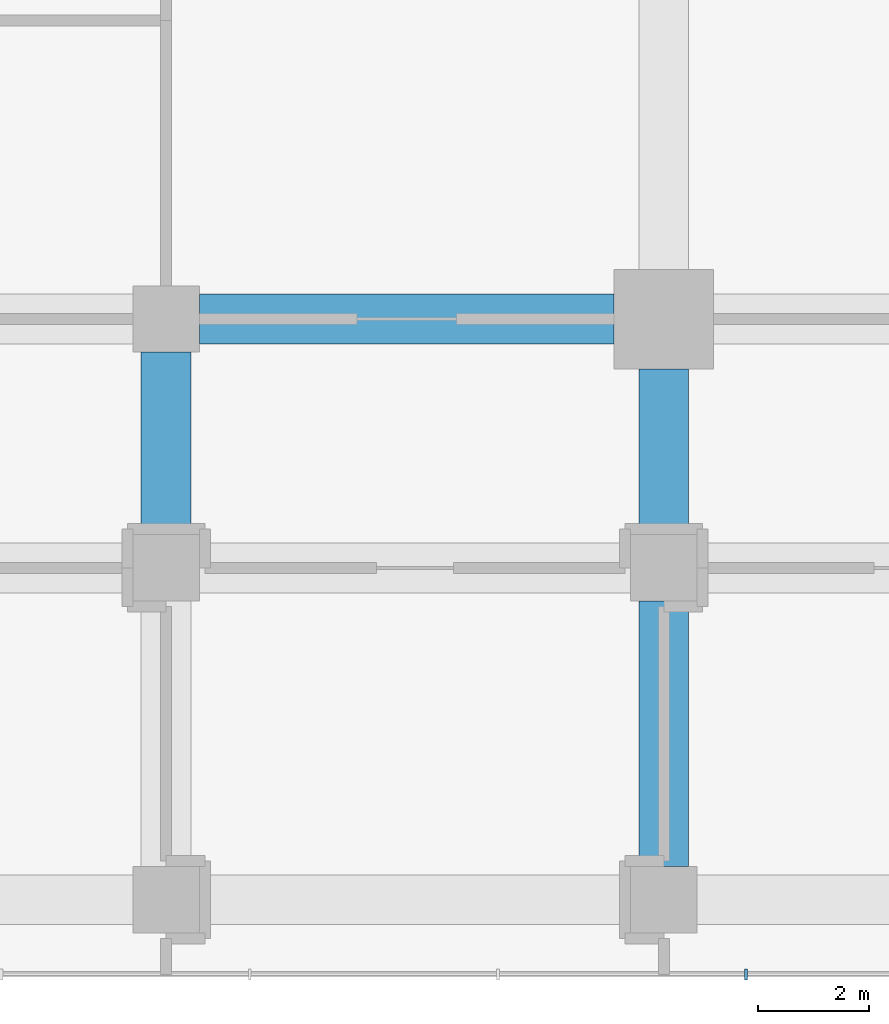
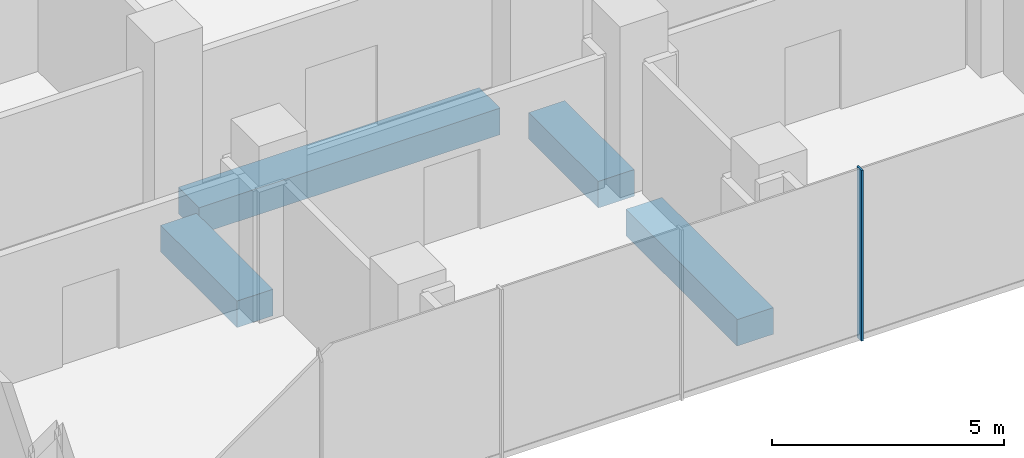
# One storey, part 6 of 43: 4 beams, 1 member, 1 element without a shape of its own.
"""IFC4 building model written with IfcOpenShell, lengths in metres."""

from ifc_helpers import new_model, si_unit, direction, frame, origin, origin_2d, place, context, subcontext, project, spatial, rectangle, extrude, material, layer, layer_set, material_profile, profile_set, type_object, element, aggregate, save


model = new_model("IFC4")

# Units and contexts
model_context = context("Model", 3, precision=1e-05, world=origin(), true_north=direction((0.0, 1.0)))
body_context = subcontext(model_context, "Body", "Model", "MODEL_VIEW")
ifc_project = project(units=[si_unit("LENGTHUNIT", "METRE"), si_unit("AREAUNIT", "SQUARE_METRE"), si_unit("VOLUMEUNIT", "CUBIC_METRE"), si_unit("PLANEANGLEUNIT", "RADIAN"), si_unit("MASSUNIT", "GRAM", prefix="KILO")], contexts=[model_context])

# Site, building, storey
site_placement = place(None, origin())
site = spatial("IfcSite", under=ifc_project, at=site_placement, CompositionType="ELEMENT")
building_placement = place(site_placement, origin())
building = spatial("IfcBuilding", under=site, at=building_placement, Name="Plateau Cross Towers", CompositionType="ELEMENT")
storey_placement = place(building_placement, frame((0.0, 0.0, 12.800048828125)))
storey = spatial("IfcBuildingStorey", under=building, at=storey_placement, Name="L02", CompositionType="ELEMENT", Elevation=12.800048828125)

# Curtain wall, member
ifc_material_1 = material(Name="Dark low-iron laminated glass", Category="glass")
ifc_layer = layer(ifc_material_1, 0.300048828125)
ifc_layer_set = layer_set([ifc_layer], Name="Dark low-iron laminated glass")
curtain_wall_type = type_object("IfcCurtainWallType", Name="Curtain wall structural silicone CW-C", PredefinedType="NOTDEFINED", material=ifc_layer_set)
curtain_wall_placement = place(storey_placement, origin())
curtain_wall = element("IfcCurtainWall", 1, at=curtain_wall_placement, inside=storey, type_object=curtain_wall_type, Name="ENV/P/L02/P-28_-118", PredefinedType="NOTDEFINED")
ifc_material_2 = material(Name="Black anodised aluminium", Category="aluminium")
ifc_material_profile_1 = material_profile(ifc_material_2, rectangle(XDim=0.050048828125, YDim=0.199951171875, at=origin_2d()), Name="MULLION 50x200")
ifc_profile_set_1 = profile_set([ifc_material_profile_1], Name="Black anodised aluminium")
member_type = type_object("IfcMemberType", Name="Mullion 50x200 structural silicone", PredefinedType="MULLION", material=ifc_profile_set_1)
member_placement = place(storey_placement, frame((55.487548828125, -11.85009765625, -0.35009765625), z_axis=(0.0, 0.0, 1.0), x_axis=(1.0, 0.0, 0.0)))
member = element("IfcMember", 2, at=member_placement, type_object=member_type, Name="CW-C mullion 14", PredefinedType="MULLION", context=body_context, shape_type="SweptSolid", body=[
    extrude(rectangle(XDim=0.050048828125, YDim=0.199951171875, at=origin_2d()), origin(), (0.0, 0.0, 1.0), 4.5),
])
aggregate(curtain_wall, [member])

# Beams
ifc_material_3 = material(Name="Concrete C50/60", Category="concrete")
ifc_material_profile_2 = material_profile(ifc_material_3, rectangle(XDim=0.89990234375, YDim=0.699951171875, at=origin_2d()), Name="RC 900x700")
ifc_profile_set_2 = profile_set([ifc_material_profile_2], Name="Concrete C50/60")
beam_type = type_object("IfcBeamType", Name="Podium band beam RC 900x700", PredefinedType="BEAM", material=ifc_profile_set_2)
beam_1_placement = place(storey_placement, frame((45.60009765625, 0.0, -0.699951171875), z_axis=(1.0, 0.0, 0.0), x_axis=(0.0, 1.0, 0.0)))
element("IfcBeam", 3, at=beam_1_placement, inside=storey, type_object=beam_type, Name="PB24@L02", PredefinedType="BEAM", context=body_context, shape_type="SweptSolid", body=[
    extrude(rectangle(XDim=0.89990234375, YDim=0.699951171875, at=origin_2d()), origin(), (0.0, 0.0, 1.0), 7.5),
])
beam_2_placement = place(storey_placement, frame((45.0, -3.89990234375, -0.699951171875), z_axis=(0.0, 1.0, 0.0), x_axis=(-1.0, 0.0, 0.0)))
element("IfcBeam", 4, at=beam_2_placement, inside=storey, type_object=beam_type, Name="PB133@L02", PredefinedType="BEAM", context=body_context, shape_type="SweptSolid", body=[
    extrude(rectangle(XDim=0.89990234375, YDim=0.699951171875, at=origin_2d()), origin(), (0.0, 0.0, 1.0), 3.2998046875),
])
beam_3_placement = place(storey_placement, frame((54.0, -9.89990234375, -0.699951171875), z_axis=(0.0, 1.0, 0.0), x_axis=(-1.0, 0.0, 0.0)))
element("IfcBeam", 5, at=beam_3_placement, inside=storey, type_object=beam_type, Name="PB139@L02", PredefinedType="BEAM", context=body_context, shape_type="SweptSolid", body=[
    extrude(rectangle(XDim=0.89990234375, YDim=0.699951171875, at=origin_2d()), origin(), (0.0, 0.0, 1.0), 4.7998046875),
])
beam_4_placement = place(storey_placement, frame((54.0, -3.89990234375, -0.699951171875), z_axis=(0.0, 1.0, 0.0), x_axis=(-1.0, 0.0, 0.0)))
element("IfcBeam", 6, at=beam_4_placement, inside=storey, type_object=beam_type, Name="PB140@L02", PredefinedType="BEAM", context=body_context, shape_type="SweptSolid", body=[
    extrude(rectangle(XDim=0.89990234375, YDim=0.699951171875, at=origin_2d()), origin(), (0.0, 0.0, 1.0), 3.0),
])

save(model, "model.ifc")
